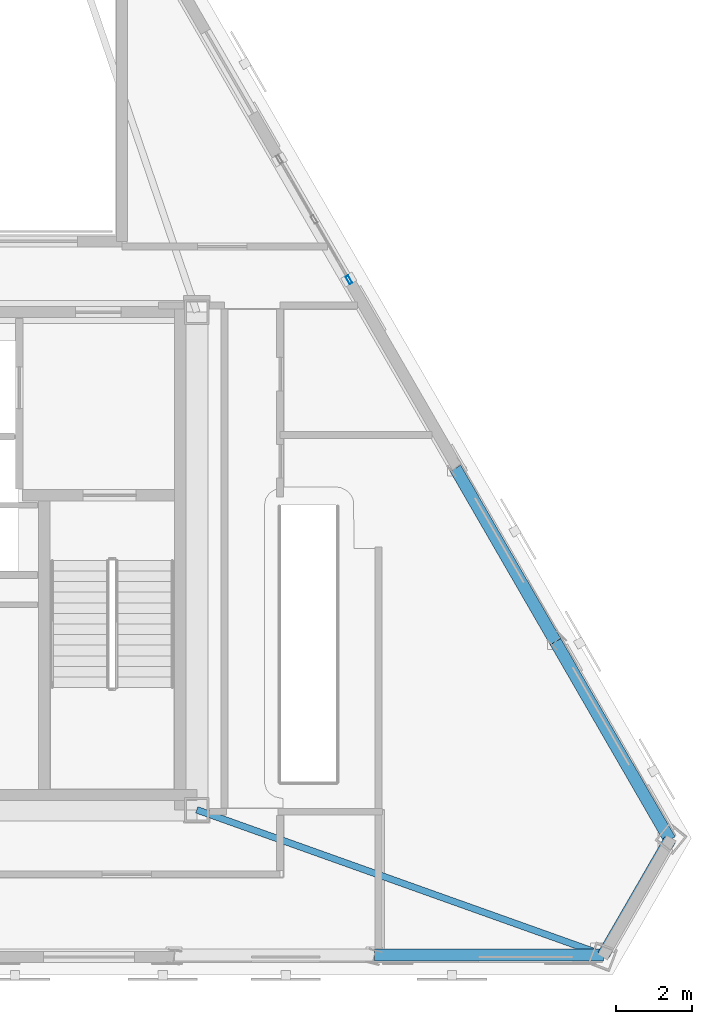
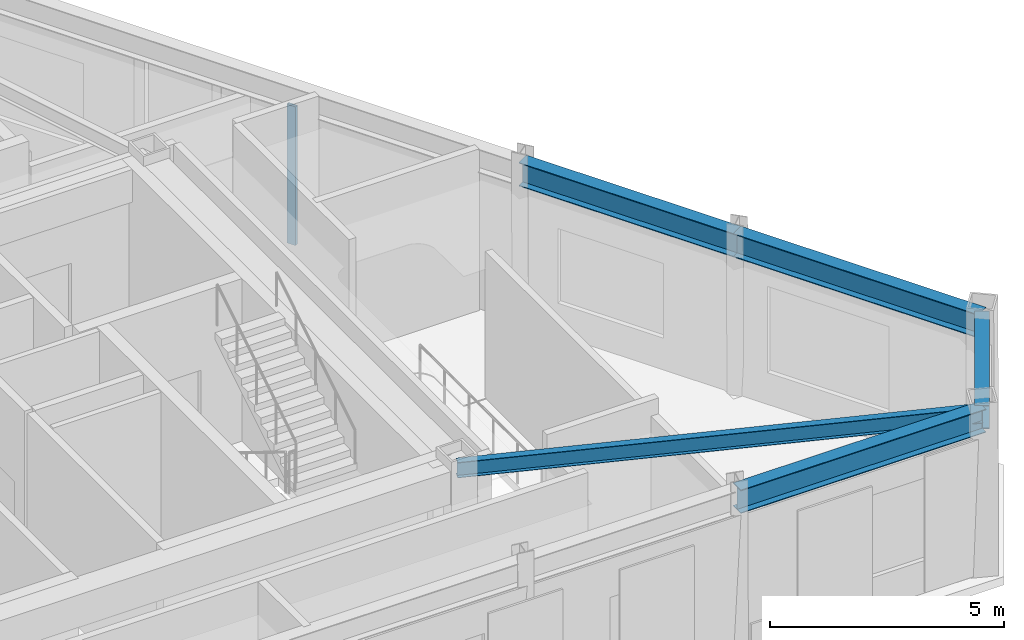
# One storey, part 7 of 14: 5 beams, 1 member, 1 element without a shape of its own.
"""IFC4 building model written with IfcOpenShell, lengths in metres."""

from ifc_helpers import new_model, si_unit, direction, frame, origin, origin_2d, place, context, subcontext, project, spatial, hollow_rectangle, i_section, extrude, material, layer, layer_set, material_profile, profile_set, type_object, element, aggregate, save


model = new_model("IFC4")

# Units and contexts
model_context = context("Model", 3, precision=1e-05, world=origin(), true_north=direction((0.0, 1.0)))
body_context = subcontext(model_context, "Body", "Model", "MODEL_VIEW")
ifc_project = project(units=[si_unit("LENGTHUNIT", "METRE"), si_unit("AREAUNIT", "SQUARE_METRE"), si_unit("VOLUMEUNIT", "CUBIC_METRE"), si_unit("PLANEANGLEUNIT", "RADIAN"), si_unit("MASSUNIT", "GRAM", prefix="KILO")], contexts=[model_context])

# Site, building, storey
site_placement = place(None, origin())
site = spatial("IfcSite", under=ifc_project, at=site_placement, CompositionType="ELEMENT")
building_placement = place(site_placement, origin())
building = spatial("IfcBuilding", under=site, at=building_placement, Name="Oramaril Tower", CompositionType="ELEMENT")
storey_placement = place(building_placement, frame((0.0, 0.0, 309.60009765625)))
storey = spatial("IfcBuildingStorey", under=building, at=storey_placement, Name="L81", CompositionType="ELEMENT", Elevation=309.60009765625)

# Beams
ifc_material_1 = material(Name="Steel ASTM A572 Gr 50", Category="steel")
ifc_material_profile_1 = material_profile(ifc_material_1, i_section(OverallWidth=0.177978515625, OverallDepth=0.404052734375, WebThickness=0.007568359375, FlangeThickness=0.010986328125, at=origin_2d()), Name="W16X36")
ifc_profile_set_1 = profile_set([ifc_material_profile_1], Name="Steel ASTM A572 Gr 50")
beam_type_1 = type_object("IfcBeamType", Name="BT-SB1", PredefinedType="BEAM", material=ifc_profile_set_1)
beam_1_placement = place(storey_placement, frame((45.64990234375, 11.0, 4.037841796875), z_axis=(0.941769025291, -0.336260468986, 0.0), x_axis=(0.336260468986, 0.941769025291, 0.0)))
element("IfcBeam", 1, at=beam_1_placement, inside=storey, type_object=beam_type_1, Name="L81 Radial Primary Beam RB-03", PredefinedType="BEAM", context=body_context, shape_type="SweptSolid", body=[
    extrude(i_section(OverallWidth=0.177978515625, OverallDepth=0.404052734375, WebThickness=0.007568359375, FlangeThickness=0.010986328125, at=origin_2d()), origin(), (0.0, 0.0, 1.0), 11.406982421875),
])
ifc_material_2 = material(Name="Steel ASTM A572 Gr 50", Category="steel")
ifc_material_profile_2 = material_profile(ifc_material_2, i_section(OverallWidth=0.324951171875, OverallDepth=0.612060546875, WebThickness=0.0126953125, FlangeThickness=0.01904296875, at=origin_2d()), Name="W24X104")
ifc_profile_set_2 = profile_set([ifc_material_profile_2], Name="Steel ASTM A572 Gr 50")
beam_type_2 = type_object("IfcBeamType", Name="BT-SP5", PredefinedType="SPANDREL", material=ifc_profile_set_2)
beam_2_placement = place(storey_placement, frame((50.346923828125, 7.164306640625, 3.933837890625), z_axis=(1.0, 0.0, 0.0), x_axis=(0.0, 1.0, 0.0)))
element("IfcBeam", 2, at=beam_2_placement, inside=storey, type_object=beam_type_2, Name="L81 Perimeter Spandrel 06", PredefinedType="SPANDREL", context=body_context, shape_type="SweptSolid", body=[
    extrude(i_section(OverallWidth=0.324951171875, OverallDepth=0.612060546875, WebThickness=0.0126953125, FlangeThickness=0.01904296875, at=origin_2d()), origin(), (0.0, 0.0, 1.0), 6.045654296875),
])
beam_3_placement = place(storey_placement, frame((56.392578125, 7.164306640625, 3.933837890625), z_axis=(0.500011241135, 0.866018913615, 0.0), x_axis=(-0.866018913615, 0.500011241135, 0.0)))
element("IfcBeam", 3, at=beam_3_placement, inside=storey, type_object=beam_type_2, Name="L81 Perimeter Spandrel 07", PredefinedType="SPANDREL", context=body_context, shape_type="SweptSolid", body=[
    extrude(i_section(OverallWidth=0.324951171875, OverallDepth=0.612060546875, WebThickness=0.0126953125, FlangeThickness=0.01904296875, at=origin_2d()), origin(), (0.0, 0.0, 1.0), 3.5126953125),
])
beam_4_placement = place(storey_placement, frame((58.14892578125, 10.206298828125, 3.933837890625), z_axis=(-0.4999916247, 0.866030239212, 0.0), x_axis=(-0.866030239212, -0.4999916247, 0.0)))
element("IfcBeam", 4, at=beam_4_placement, inside=storey, type_object=beam_type_2, Name="L81 Perimeter Spandrel 08", PredefinedType="SPANDREL", context=body_context, shape_type="SweptSolid", body=[
    extrude(i_section(OverallWidth=0.324951171875, OverallDepth=0.612060546875, WebThickness=0.0126953125, FlangeThickness=0.01904296875, at=origin_2d()), origin(), (0.0, 0.0, 1.0), 6.04541015625),
])
beam_5_placement = place(storey_placement, frame((55.126220703125, 15.44189453125, 3.933837890625), z_axis=(-0.500000768369, 0.866024960166, 0.0), x_axis=(-0.866024960166, -0.500000768369, 0.0)))
element("IfcBeam", 5, at=beam_5_placement, inside=storey, type_object=beam_type_2, Name="L81 Perimeter Spandrel 09", PredefinedType="SPANDREL", context=body_context, shape_type="SweptSolid", body=[
    extrude(i_section(OverallWidth=0.324951171875, OverallDepth=0.612060546875, WebThickness=0.0126953125, FlangeThickness=0.01904296875, at=origin_2d()), origin(), (0.0, 0.0, 1.0), 5.2900390625),
])

# Curtain wall, member
ifc_material_3 = material(Name="Anodised Aluminium 6063-T6", Category="aluminium")
ifc_layer = layer(ifc_material_3, 0.219970703125)
ifc_layer_set = layer_set([ifc_layer], Name="CWT-SYS6")
curtain_wall_type = type_object("IfcCurtainWallType", Name="CWT-SYS6", PredefinedType="NOTDEFINED", material=ifc_layer_set)
curtain_wall_placement = place(storey_placement, origin())
curtain_wall = element("IfcCurtainWall", 6, at=curtain_wall_placement, inside=storey, type_object=curtain_wall_type, Name="L81 Unitised Curtain Wall CW-6", PredefinedType="NOTDEFINED")
ifc_material_4 = material(Name="Anodised Aluminium 6063-T6", Category="aluminium")
ifc_material_profile_3 = material_profile(ifc_material_4, hollow_rectangle(XDim=0.080078125, YDim=0.219970703125, WallThickness=0.00390625, at=origin_2d()), Name="CWM220X80")
ifc_profile_set_3 = profile_set([ifc_material_profile_3], Name="Anodised Aluminium 6063-T6")
member_type = type_object("IfcMemberType", Name="MT-CWM1", PredefinedType="MULLION", material=ifc_profile_set_3)
member_placement = place(storey_placement, frame((49.67041015625, 25.001953125, 0.0), z_axis=(0.0, 0.0, 1.0), x_axis=(-0.866025463091, -0.499999897278, 0.0)))
member = element("IfcMember", 7, at=member_placement, type_object=member_type, Name="CW-6 mullion 1", PredefinedType="MULLION", context=body_context, shape_type="SweptSolid", body=[
    extrude(hollow_rectangle(XDim=0.080078125, YDim=0.219970703125, WallThickness=0.00390625, at=origin_2d()), origin(), (0.0, 0.0, 1.0), 3.617919921875),
])
aggregate(curtain_wall, [member])

save(model, "model.ifc")
